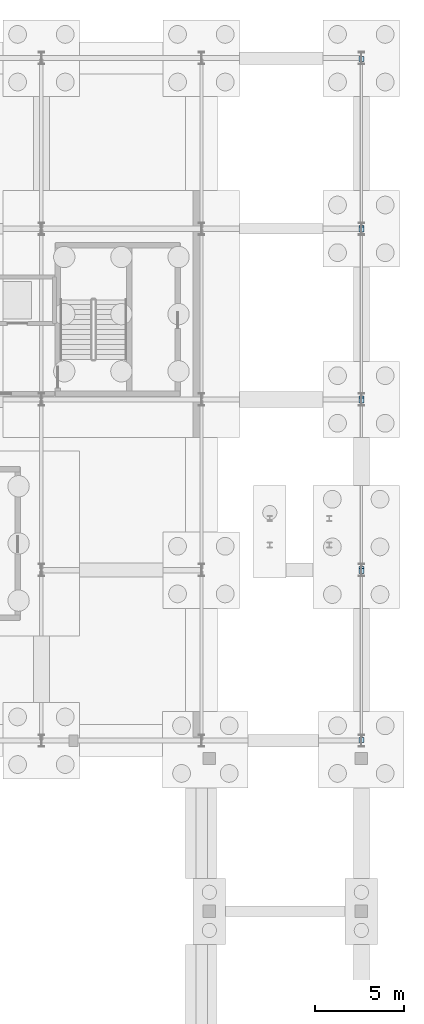
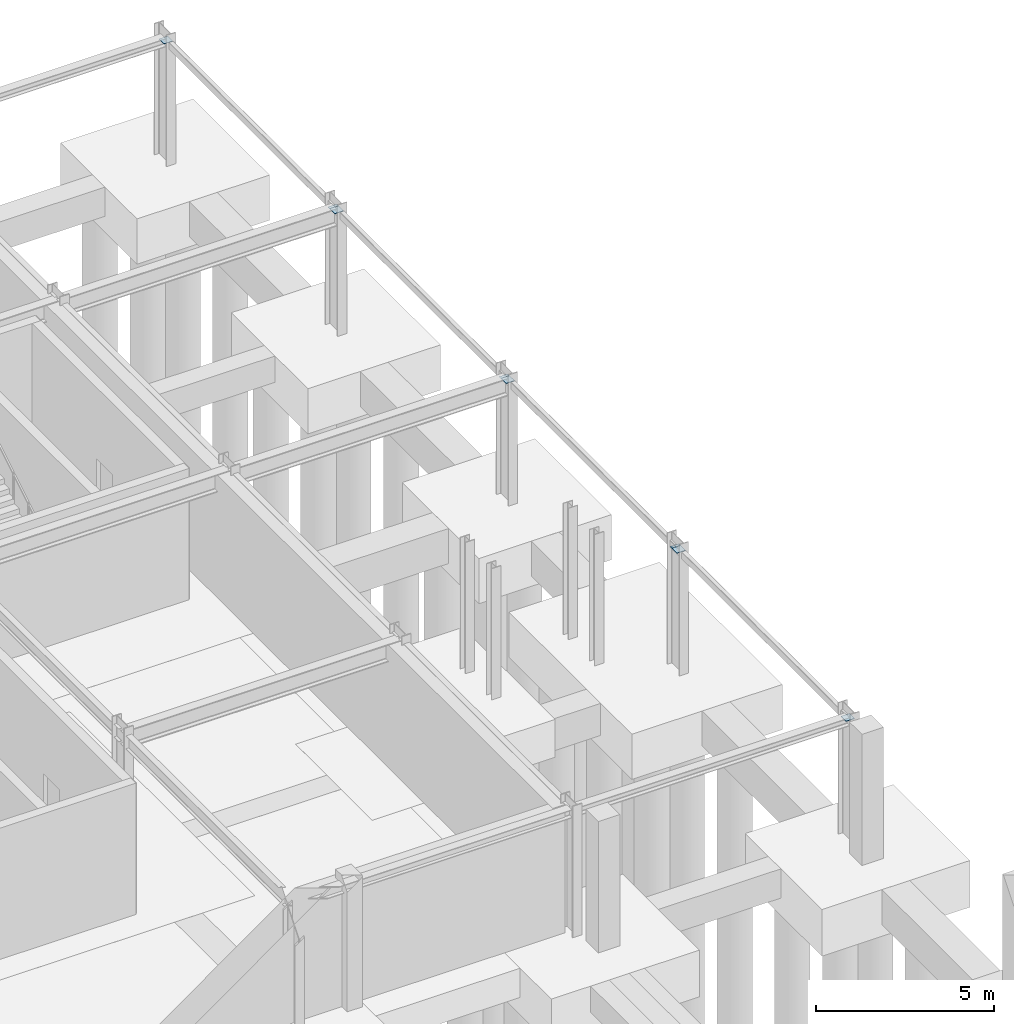
# One storey, part 38 of 59: 8 plates.
"""IFC4 building model written with IfcOpenShell, lengths in metres."""

from ifc_helpers import new_model, si_unit, direction, frame, origin, origin_2d, place, context, subcontext, project, spatial, rectangle, extrude, material, layer, layer_set, type_object, element, save


model = new_model("IFC4")

# Units and contexts
model_context = context("Model", 3, precision=1e-05, world=origin(), true_north=direction((0.0, 1.0)))
body_context = subcontext(model_context, "Body", "Model", "MODEL_VIEW")
ifc_project = project(units=[si_unit("LENGTHUNIT", "METRE"), si_unit("AREAUNIT", "SQUARE_METRE"), si_unit("VOLUMEUNIT", "CUBIC_METRE"), si_unit("PLANEANGLEUNIT", "RADIAN"), si_unit("MASSUNIT", "GRAM", prefix="KILO")], contexts=[model_context])

# Site, building, storey
site_placement = place(None, origin())
site = spatial("IfcSite", under=ifc_project, at=site_placement, CompositionType="ELEMENT")
building_placement = place(site_placement, origin())
building = spatial("IfcBuilding", under=site, at=building_placement, Name="Myrtia Square Station", CompositionType="ELEMENT")
storey_placement = place(building_placement, frame((0.0, 0.0, -4.5)))
storey = spatial("IfcBuildingStorey", under=building, at=storey_placement, Name="B01", CompositionType="ELEMENT", Elevation=-4.5)

# Plates
ifc_material = material(Name="Steel S355", Category="steel")
ifc_layer = layer(ifc_material, 0.01611328125, Name="Steel S355")
ifc_layer_set = layer_set([ifc_layer], Name="Steel S355")
plate_type = type_object("IfcPlateType", Name="PLT-GUS16", PredefinedType="USERDEFINED", material=ifc_layer_set)
for number, where, z_axis, x_axis, name in (
    (1, (189.0, 86.449951171875, 4.096923828125), (0.0, 0.0, 1.0), (0.0, 1.0, 0.0), "Truss node gusset plate SPNY-B01-0067-1"),
    (2, (189.0, 95.949951171875, 4.096923828125), (0.0, 0.0, 1.0), (0.0, 1.0, 0.0), "Truss node gusset plate SPNY-B01-0067-2"),
    (3, (189.0, 96.050048828125, 4.096923828125), (0.0, 0.0, 1.0), (0.0, 1.0, 0.0), "Truss node gusset plate SPNY-B01-0068-1"),
    (4, (189.0, 105.550048828125, 4.096923828125), (0.0, 0.0, 1.0), (0.0, 1.0, 0.0), "Truss node gusset plate SPNY-B01-0068-2"),
    (5, (189.0, 105.64990234375, 4.096923828125), (0.0, 0.0, 1.0), (0.0, 1.0, 0.0), "Truss node gusset plate SPNY-B01-0069-1"),
    (6, (189.0, 115.14990234375, 4.096923828125), (0.0, 0.0, 1.0), (0.0, 1.0, 0.0), "Truss node gusset plate SPNY-B01-0069-2"),
    (7, (189.0, 115.25, 4.096923828125), (0.0, 0.0, 1.0), (0.0, 1.0, 0.0), "Truss node gusset plate SPNY-B01-0070-1"),
    (8, (189.0, 124.75, 4.096923828125), (0.0, 0.0, 1.0), (0.0, 1.0, 0.0), "Truss node gusset plate SPNY-B01-0070-2"),
):
    element("IfcPlate", number, at=place(storey_placement, frame(where, z_axis=z_axis, x_axis=x_axis)), inside=storey, type_object=plate_type, Name=name, ObjectType="GUSSET PLATE", PredefinedType="USERDEFINED", context=body_context, shape_type="SweptSolid", body=[
        extrude(rectangle(XDim=0.280029296875, YDim=0.280029296875, at=origin_2d()), origin(), (0.0, 0.0, 1.0), 0.01611328125),
    ])

save(model, "model.ifc")
